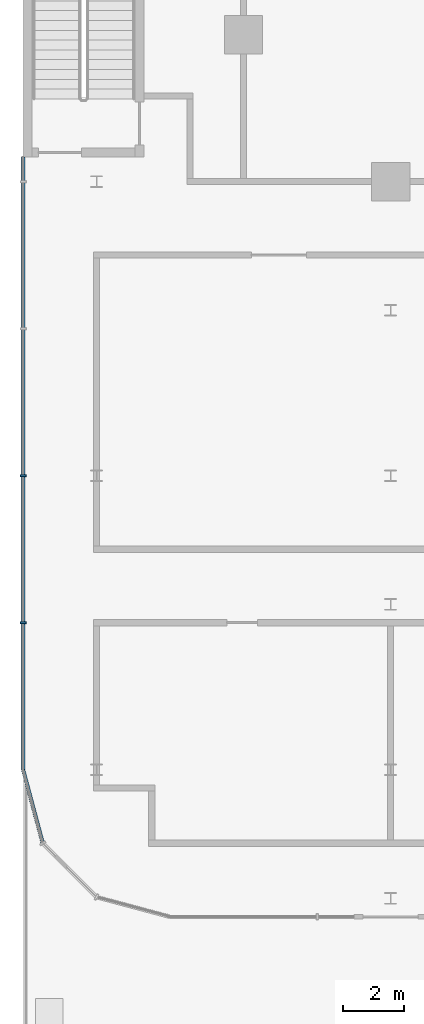
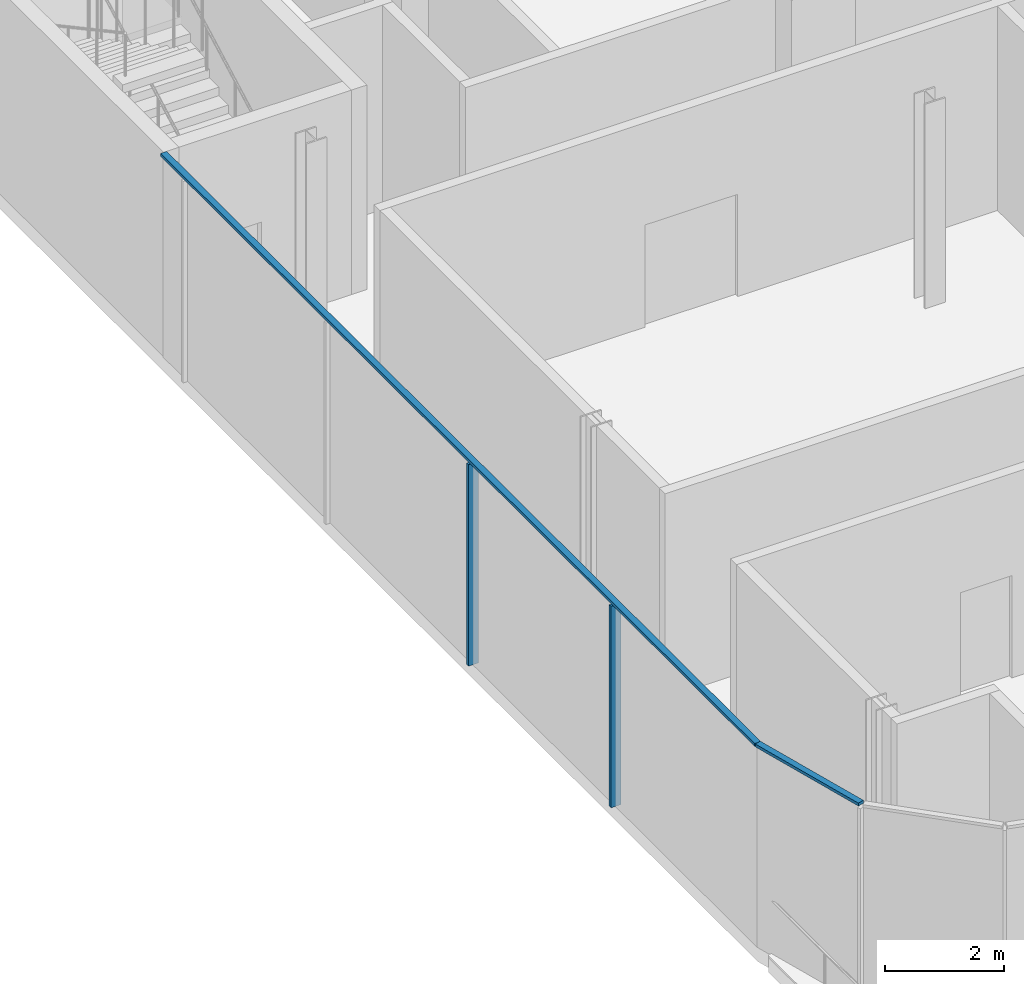
# One storey, part 8 of 43: 4 members, 2 elements without a shape of their own.
"""IFC4 building model written with IfcOpenShell, lengths in metres."""

from ifc_helpers import new_model, si_unit, direction, frame, origin, origin_2d, place, context, subcontext, project, spatial, rectangle, extrude, material, layer, layer_set, material_profile, profile_set, type_object, element, aggregate, save


model = new_model("IFC4")

# Units and contexts
model_context = context("Model", 3, precision=1e-05, world=origin(), true_north=direction((0.0, 1.0)))
body_context = subcontext(model_context, "Body", "Model", "MODEL_VIEW")
ifc_project = project(units=[si_unit("LENGTHUNIT", "METRE"), si_unit("AREAUNIT", "SQUARE_METRE"), si_unit("VOLUMEUNIT", "CUBIC_METRE"), si_unit("PLANEANGLEUNIT", "RADIAN"), si_unit("MASSUNIT", "GRAM", prefix="KILO")], contexts=[model_context])

# Site, building, storey
site_placement = place(None, origin())
site = spatial("IfcSite", under=ifc_project, at=site_placement, CompositionType="ELEMENT")
building_placement = place(site_placement, origin())
building = spatial("IfcBuilding", under=site, at=building_placement, Name="Madar Terraces", CompositionType="ELEMENT")
storey_placement = place(building_placement, frame((0.0, 0.0, 10.5)))
storey = spatial("IfcBuildingStorey", under=building, at=storey_placement, Name="L02", CompositionType="ELEMENT", Elevation=10.5)

# Curtain wall, members
ifc_material_1 = material(Name="Glass, clear low-iron, with black aluminium frame", Category="aluminium")
ifc_layer = layer(ifc_material_1, 0.199951171875)
ifc_layer_set = layer_set([ifc_layer], Name="Facade curtain wall, shopfront glazing")
curtain_wall_type = type_object("IfcCurtainWallType", Name="Facade curtain wall, shopfront glazing", PredefinedType="NOTDEFINED", material=ifc_layer_set)
curtain_wall_1_placement = place(storey_placement, origin())
curtain_wall_1 = element("IfcCurtainWall", 1, at=curtain_wall_1_placement, inside=storey, type_object=curtain_wall_type, Name="Outer skin curtain wall west bay 1", PredefinedType="NOTDEFINED")
ifc_material_2 = material(Name="Aluminium, black anodised", Category="aluminium")
ifc_material_profile_1 = material_profile(ifc_material_2, rectangle(XDim=0.199951171875, YDim=0.06005859375, at=origin_2d()), Name="Facade mullion 60x200")
ifc_profile_set_1 = profile_set([ifc_material_profile_1], Name="Aluminium, black anodised")
member_type_1 = type_object("IfcMemberType", Name="Facade mullion 60x200", PredefinedType="MULLION", material=ifc_profile_set_1)
member_1_placement = place(storey_placement, frame((-7.199951171875, -9.60009765625, 0.0), z_axis=(0.0, 0.0, 1.0), x_axis=(1.0, 0.0, 0.0)))
member_1 = element("IfcMember", 2, at=member_1_placement, type_object=member_type_1, Name="Mullion 12", PredefinedType="MULLION", context=body_context, shape_type="SweptSolid", body=[
    extrude(rectangle(XDim=0.199951171875, YDim=0.06005859375, at=origin_2d()), origin(), (0.0, 0.0, 1.0), 4.139892578125),
])
member_2_placement = place(storey_placement, frame((-7.199951171875, -14.39990234375, 0.0), z_axis=(0.0, 0.0, 1.0), x_axis=(1.0, 0.0, 0.0)))
member_2 = element("IfcMember", 3, at=member_2_placement, type_object=member_type_1, Name="Mullion 13", PredefinedType="MULLION", context=body_context, shape_type="SweptSolid", body=[
    extrude(rectangle(XDim=0.199951171875, YDim=0.06005859375, at=origin_2d()), origin(), (0.0, 0.0, 1.0), 4.139892578125),
])
ifc_material_3 = material(Name="Aluminium, black anodised", Category="aluminium")
ifc_material_profile_2 = material_profile(ifc_material_3, rectangle(XDim=0.1201171875, YDim=0.06005859375, at=origin_2d()), Name="Facade transom 60x120")
ifc_profile_set_2 = profile_set([ifc_material_profile_2], Name="Aluminium, black anodised")
member_type_2 = type_object("IfcMemberType", Name="Facade transom 60x120", PredefinedType="USERDEFINED", material=ifc_profile_set_2)
member_3_placement = place(storey_placement, frame((-7.199951171875, 0.800048828125, 4.169921875), z_axis=(0.0, -1.0, 0.0), x_axis=(1.0, 0.0, 0.0)))
member_3 = element("IfcMember", 4, at=member_3_placement, type_object=member_type_2, Name="Transom 2", ObjectType="TRANSOM", PredefinedType="USERDEFINED", context=body_context, shape_type="SweptSolid", body=[
    extrude(rectangle(XDim=0.1201171875, YDim=0.06005859375, at=origin_2d()), origin(), (0.0, 0.0, 1.0), 20.0),
])
aggregate(curtain_wall_1, [member_1, member_2, member_3])

# Curtain wall, member
curtain_wall_2_placement = place(storey_placement, origin())
curtain_wall_2 = element("IfcCurtainWall", 5, at=curtain_wall_2_placement, inside=storey, type_object=curtain_wall_type, Name="Outer skin curtain wall south-west corner", PredefinedType="NOTDEFINED")
member_4_placement = place(storey_placement, frame((-7.199951171875, -19.199951171875, 4.169921875), z_axis=(0.258789113195, -0.965933846022, 0.0), x_axis=(0.965933846022, 0.258789113195, 0.0)))
member_4 = element("IfcMember", 6, at=member_4_placement, type_object=member_type_2, Name="Transom 1", ObjectType="TRANSOM", PredefinedType="USERDEFINED", context=body_context, shape_type="SweptSolid", body=[
    extrude(rectangle(XDim=0.1201171875, YDim=0.06005859375, at=origin_2d()), origin(), (0.0, 0.0, 1.0), 2.454833984375),
])
aggregate(curtain_wall_2, [member_4])

save(model, "model.ifc")
